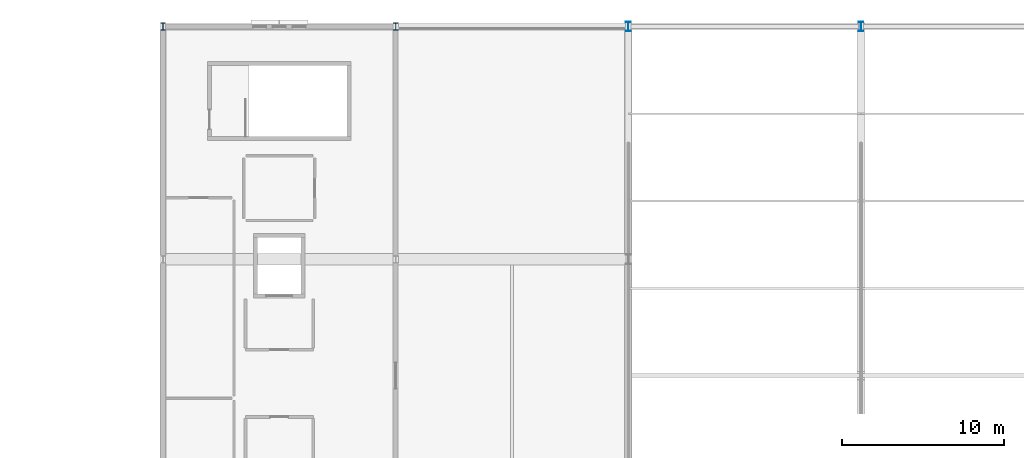
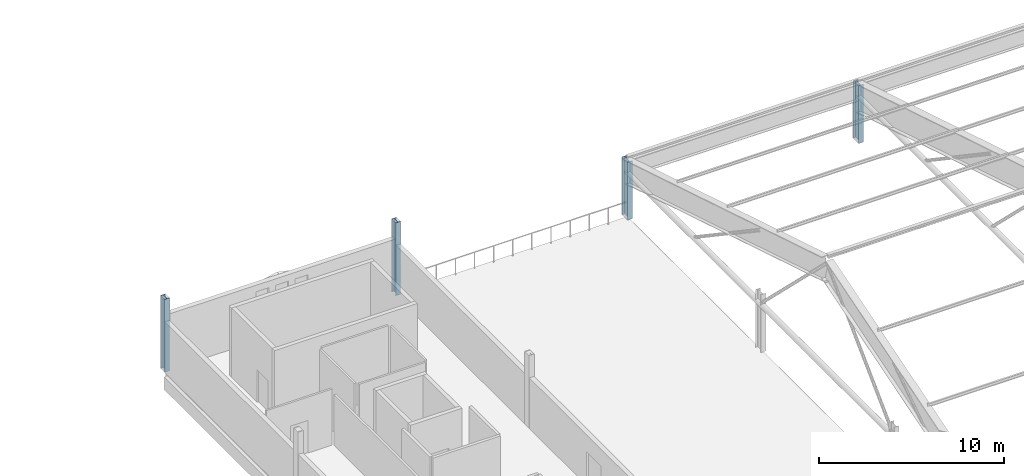
# One storey, part 12 of 116: 4 columns.
"""IFC4 building model written with IfcOpenShell, lengths in metres."""

from ifc_helpers import new_model, si_unit, direction, frame, origin, origin_2d, place, context, subcontext, project, spatial, i_section, extrude, material, material_profile, profile_set, type_object, element, save


model = new_model("IFC4")

# Units and contexts
model_context = context("Model", 3, precision=1e-05, world=origin(), true_north=direction((0.0, 1.0)))
body_context = subcontext(model_context, "Body", "Model", "MODEL_VIEW")
ifc_project = project(units=[si_unit("LENGTHUNIT", "METRE"), si_unit("AREAUNIT", "SQUARE_METRE"), si_unit("VOLUMEUNIT", "CUBIC_METRE"), si_unit("PLANEANGLEUNIT", "RADIAN"), si_unit("MASSUNIT", "GRAM", prefix="KILO")], contexts=[model_context])

# Site, building, storey
site_placement = place(None, origin())
site = spatial("IfcSite", under=ifc_project, at=site_placement, CompositionType="ELEMENT")
building_placement = place(site_placement, origin())
building = spatial("IfcBuilding", under=site, at=building_placement, Name="Cendralis Lancet Convention Centre", CompositionType="ELEMENT")
storey_placement = place(building_placement, frame((0.0, 0.0, 15.0)))
storey = spatial("IfcBuildingStorey", under=building, at=storey_placement, Name="L03", CompositionType="ELEMENT", Elevation=15.0)

# Columns
ifc_material = material(Name="Steel S355", Category="steel")
ifc_material_profile_1 = material_profile(ifc_material, i_section(OverallWidth=0.300048828125, OverallDepth=0.60009765625, WebThickness=0.015380859375, FlangeThickness=0.030029296875, FilletRadius=0.027099609375, at=origin_2d()), Name="HEB 600")
ifc_profile_set_1 = profile_set([ifc_material_profile_1], Name="Steel S355")
column_type_1 = type_object("IfcColumnType", Name="STR-COL-C21", PredefinedType="COLUMN", material=ifc_profile_set_1)
for number, where, z_axis, x_axis, name in (
    (1, (153.60009765625, 136.800048828125, 0.0), (0.0, 0.0, 1.0), (1.0, 0.0, 0.0), "L03 Column C21 at 153.6,136.8"),
    (2, (168.0, 136.800048828125, 0.0), (0.0, 0.0, 1.0), (1.0, 0.0, 0.0), "L03 Column C21 at 168.0,136.8"),
):
    element("IfcColumn", number, at=place(storey_placement, frame(where, z_axis=z_axis, x_axis=x_axis)), inside=storey, type_object=column_type_1, Name=name, PredefinedType="COLUMN", context=body_context, shape_type="SweptSolid", body=[
        extrude(i_section(OverallWidth=0.300048828125, OverallDepth=0.60009765625, WebThickness=0.015380859375, FlangeThickness=0.030029296875, FilletRadius=0.027099609375, at=origin_2d()), origin(), (0.0, 0.0, 1.0), 3.800048828125),
    ])
ifc_material_profile_2 = material_profile(ifc_material, i_section(OverallWidth=0.300048828125, OverallDepth=0.449951171875, WebThickness=0.013916015625, FlangeThickness=0.02587890625, FilletRadius=0.027099609375, at=origin_2d()), Name="HEB 450")
ifc_profile_set_2 = profile_set([ifc_material_profile_2], Name="Steel S355")
column_type_2 = type_object("IfcColumnType", Name="STR-COL-C24", PredefinedType="COLUMN", material=ifc_profile_set_2)
for number, where, z_axis, x_axis, name in (
    (3, (124.800048828125, 136.800048828125, 0.0), (0.0, 0.0, 1.0), (1.0, 0.0, 0.0), "L03 Column C24 at 124.8,136.8"),
    (4, (139.199951171875, 136.800048828125, 0.0), (0.0, 0.0, 1.0), (1.0, 0.0, 0.0), "L03 Column C24 at 139.2,136.8"),
):
    element("IfcColumn", number, at=place(storey_placement, frame(where, z_axis=z_axis, x_axis=x_axis)), inside=storey, type_object=column_type_2, Name=name, PredefinedType="COLUMN", context=body_context, shape_type="SweptSolid", body=[
        extrude(i_section(OverallWidth=0.300048828125, OverallDepth=0.449951171875, WebThickness=0.013916015625, FlangeThickness=0.02587890625, FilletRadius=0.027099609375, at=origin_2d()), origin(), (0.0, 0.0, 1.0), 4.800048828125),
    ])

save(model, "model.ifc")
